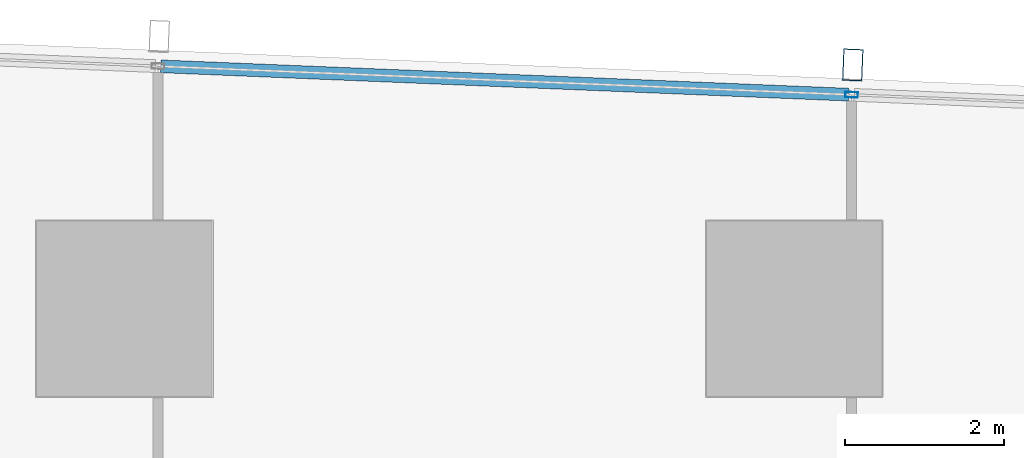
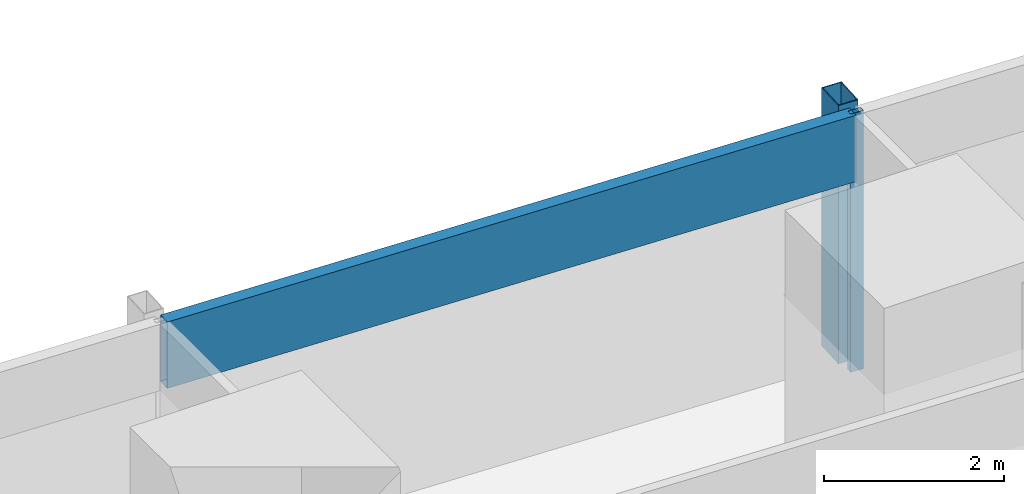
# One storey, part 21 of 44: 3 members, 1 element without a shape of its own.
"""IFC4 building model written with IfcOpenShell, lengths in metres."""

from ifc_helpers import new_model, si_unit, direction, frame, origin, origin_2d, place, context, subcontext, project, spatial, hollow_rectangle, extrude, material, material_profile, profile_set, type_object, element, aggregate, save


model = new_model("IFC4")

# Units and contexts
model_context = context("Model", 3, precision=1e-05, world=origin(), true_north=direction((0.0, 1.0)))
body_context = subcontext(model_context, "Body", "Model", "MODEL_VIEW")
ifc_project = project(units=[si_unit("LENGTHUNIT", "METRE"), si_unit("AREAUNIT", "SQUARE_METRE"), si_unit("VOLUMEUNIT", "CUBIC_METRE"), si_unit("PLANEANGLEUNIT", "RADIAN"), si_unit("MASSUNIT", "GRAM", prefix="KILO")], contexts=[model_context])

# Site, building, storey
site_placement = place(None, origin())
site = spatial("IfcSite", under=ifc_project, at=site_placement, CompositionType="ELEMENT")
building_placement = place(site_placement, origin())
building = spatial("IfcBuilding", under=site, at=building_placement, Name="Rekha Terrace Tower", CompositionType="ELEMENT")
storey_placement = place(building_placement, frame((0.0, 0.0, 74.14990234375)))
storey = spatial("IfcBuildingStorey", under=building, at=storey_placement, Name="L18", CompositionType="ELEMENT", Elevation=74.14990234375)

# Curtain wall, members
ifc_material_1 = material(Name="Aluminium framing", Category="aluminium")
curtain_wall_type = type_object("IfcCurtainWallType", Name="CW3 north unitised glazing", PredefinedType="USERDEFINED", material=ifc_material_1)
curtain_wall_placement = place(storey_placement, origin())
curtain_wall = element("IfcCurtainWall", 1, at=curtain_wall_placement, inside=storey, type_object=curtain_wall_type, Name="CW3 unitised curtain wall", ObjectType="UNITISED CURTAIN WALL", PredefinedType="USERDEFINED")
ifc_material_2 = material(Name="Steel S355 with fluorocarbon finish", Category="steel")
ifc_material_profile_1 = material_profile(ifc_material_2, hollow_rectangle(XDim=0.25, YDim=0.39990234375, WallThickness=0.012451171875, at=origin_2d()), Name="RHS400x250x12.5")
ifc_profile_set_1 = profile_set([ifc_material_profile_1], Name="Steel S355 with fluorocarbon finish")
member_type_1 = type_object("IfcMemberType", Name="BL1 facade blade RHS 400 x 250", PredefinedType="USERDEFINED", material=ifc_profile_set_1)
member_1_placement = place(storey_placement, frame((42.73388671875, 61.857421875, 0.0), z_axis=(0.0, 0.0, 1.0), x_axis=(-0.99915196507, 0.041174636562, 0.0)))
member_1 = element("IfcMember", 2, at=member_1_placement, type_object=member_type_1, Name="Facade blade", ObjectType="FACADE BLADE", PredefinedType="USERDEFINED", context=body_context, shape_type="SweptSolid", body=[
    extrude(hollow_rectangle(XDim=0.25, YDim=0.39990234375, WallThickness=0.012451171875, at=origin_2d()), origin(), (0.0, 0.0, 1.0), 3.5),
])
ifc_material_3 = material(Name="Aluminium mullion section", Category="aluminium")
ifc_material_profile_2 = material_profile(ifc_material_3, hollow_rectangle(XDim=0.070068359375, YDim=0.159912109375, WallThickness=0.00390625, at=origin_2d()), Name="AL RHS 70x160")
ifc_profile_set_2 = profile_set([ifc_material_profile_2], Name="Aluminium mullion section")
member_type_2 = type_object("IfcMemberType", Name="CW3 mullion RHS 70 x 160", PredefinedType="MULLION", material=ifc_profile_set_2)
member_2_placement = place(storey_placement, frame((42.718505859375, 61.48291015625, 0.0), z_axis=(0.0, 0.0, 1.0), x_axis=(-0.041173846041, -0.999151997647, 0.0)))
member_2 = element("IfcMember", 3, at=member_2_placement, type_object=member_type_2, Name="CW3 mullion 4", PredefinedType="MULLION", context=body_context, shape_type="SweptSolid", body=[
    extrude(hollow_rectangle(XDim=0.070068359375, YDim=0.159912109375, WallThickness=0.00390625, at=origin_2d()), origin(), (0.0, 0.0, 1.0), 3.5),
])
ifc_material_4 = material(Name="Insulated aluminium spandrel box", Category="aluminium")
ifc_material_profile_3 = material_profile(ifc_material_4, hollow_rectangle(XDim=0.159912109375, YDim=0.89990234375, WallThickness=0.0029296875, at=origin_2d()), Name="AL SPANDREL BOX 160x900")
ifc_profile_set_3 = profile_set([ifc_material_profile_3], Name="Insulated aluminium spandrel box")
member_type_3 = type_object("IfcMemberType", Name="CW3 spandrel transom 160 x 900", PredefinedType="USERDEFINED", material=ifc_profile_set_3)
member_3_placement = place(storey_placement, frame((42.68359375, 61.484375, 3.050048828125), z_axis=(-0.999152128669, 0.041170666459, 0.0), x_axis=(-0.041170666459, -0.999152128669, 0.0)))
member_3 = element("IfcMember", 4, at=member_3_placement, type_object=member_type_3, Name="CW3 spandrel transom 4", ObjectType="TRANSOM", PredefinedType="USERDEFINED", context=body_context, shape_type="SweptSolid", body=[
    extrude(hollow_rectangle(XDim=0.159912109375, YDim=0.89990234375, WallThickness=0.0029296875, at=origin_2d()), origin(), (0.0, 0.0, 1.0), 8.634033203125),
])
aggregate(curtain_wall, [member_2, member_3, member_1])

save(model, "model.ifc")
